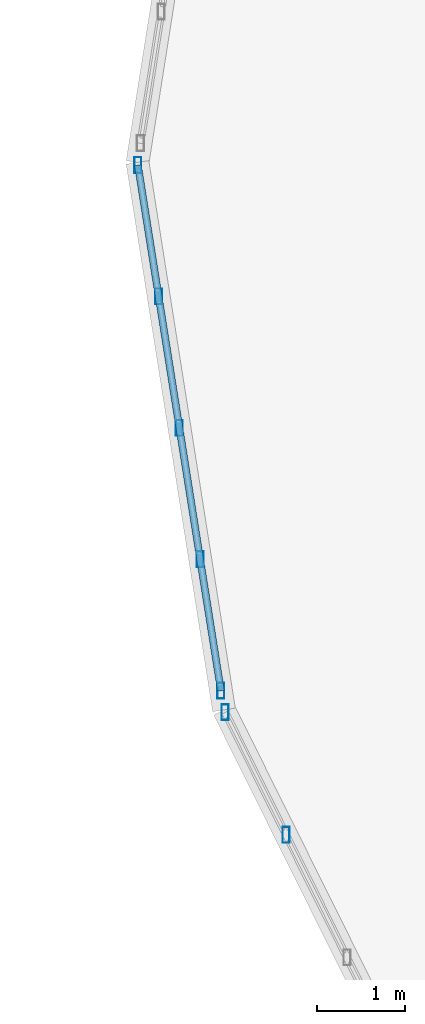
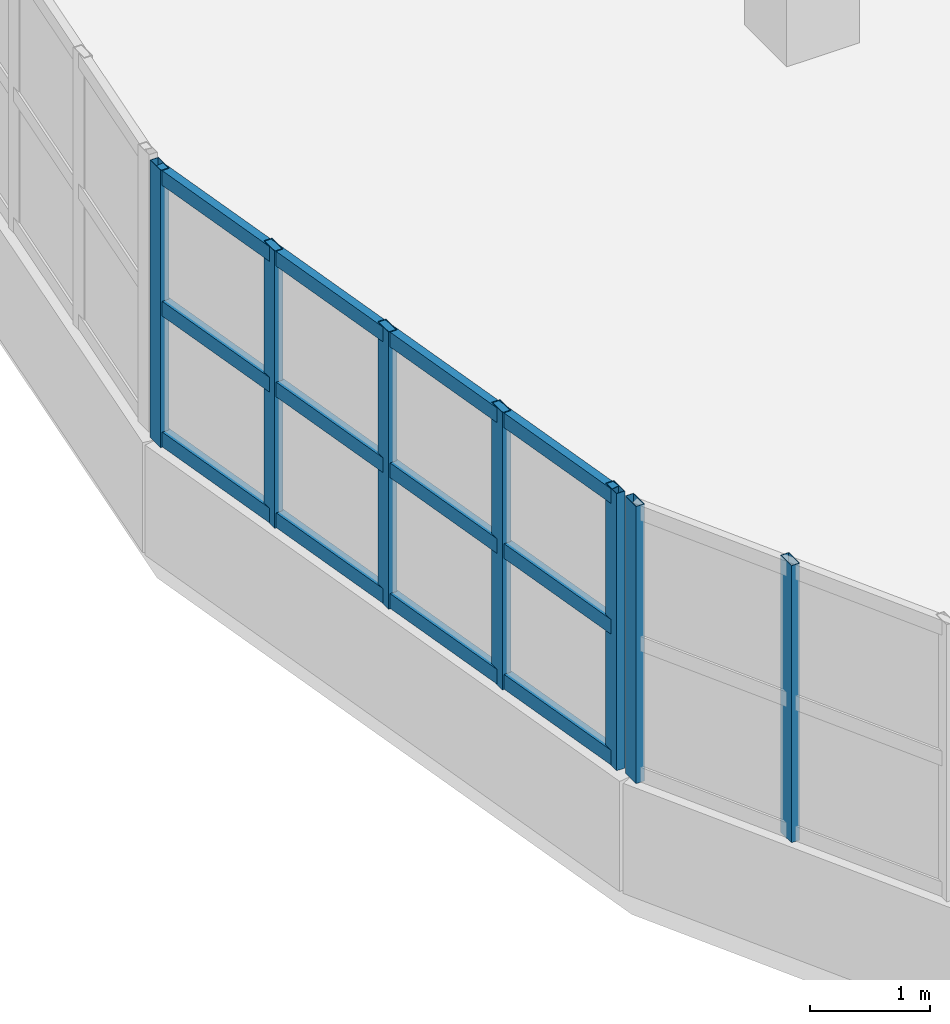
# One storey, part 9 of 52: 10 members, 2 elements without a shape of their own.
"""IFC4 building model written with IfcOpenShell, lengths in metres."""

from ifc_helpers import new_model, si_unit, direction, frame, origin, origin_2d, place, context, subcontext, project, spatial, hollow_rectangle, extrude, material, material_profile, profile_set, type_object, element, aggregate, save


model = new_model("IFC4")

# Units and contexts
model_context = context("Model", 3, precision=1e-05, world=origin(), true_north=direction((0.0, 1.0)))
body_context = subcontext(model_context, "Body", "Model", "MODEL_VIEW")
ifc_project = project(units=[si_unit("LENGTHUNIT", "METRE"), si_unit("AREAUNIT", "SQUARE_METRE"), si_unit("VOLUMEUNIT", "CUBIC_METRE"), si_unit("PLANEANGLEUNIT", "RADIAN"), si_unit("MASSUNIT", "GRAM", prefix="KILO")], contexts=[model_context])

# Site, building, storey
site_placement = place(None, origin())
site = spatial("IfcSite", under=ifc_project, at=site_placement, CompositionType="ELEMENT")
building_placement = place(site_placement, origin())
building = spatial("IfcBuilding", under=site, at=building_placement, Name="Solvento Point Concert Hall", CompositionType="ELEMENT")
storey_placement = place(building_placement, frame((0.0, 0.0, 19.5)))
storey = spatial("IfcBuildingStorey", under=building, at=storey_placement, Name="L04", CompositionType="ELEMENT", Elevation=19.5)

# Curtain wall, members
ifc_material_1 = material(Name="Anodized Bronze Aluminium", Category="aluminium")
curtain_wall_type = type_object("IfcCurtainWallType", Name="CurtainWall_RingRibbon_L03_04", PredefinedType="USERDEFINED", material=ifc_material_1)
curtain_wall_1_placement = place(storey_placement, origin())
curtain_wall_1 = element("IfcCurtainWall", 1, at=curtain_wall_1_placement, inside=storey, type_object=curtain_wall_type, Name="Unitised curtain wall CW-31 UCW-L04-213", ObjectType="UNITISED CURTAIN WALL", PredefinedType="USERDEFINED")
ifc_material_2 = material(Name="Anodized Bronze Aluminium", Category="aluminium")
ifc_material_profile_1 = material_profile(ifc_material_2, hollow_rectangle(XDim=0.080078125, YDim=0.179931640625, WallThickness=0.00390625, at=origin_2d()), Name="CW-MUL-80X180")
ifc_profile_set_1 = profile_set([ifc_material_profile_1], Name="Anodized Bronze Aluminium")
member_type_1 = type_object("IfcMemberType", Name="Mullion_80x180", PredefinedType="MULLION", material=ifc_profile_set_1)
member_1_placement = place(storey_placement, frame((34.086181640625, 22.5703125, 1.1201171875), z_axis=(0.0, 0.0, 1.0), x_axis=(1.0, 0.0, 0.0)))
member_1 = element("IfcMember", 2, at=member_1_placement, type_object=member_type_1, Name="Curtain wall mullion ML-01", PredefinedType="MULLION", context=body_context, shape_type="SweptSolid", body=[
    extrude(hollow_rectangle(XDim=0.080078125, YDim=0.179931640625, WallThickness=0.00390625, at=origin_2d()), origin(), (0.0, 0.0, 1.0), 2.81982421875),
])
member_2_placement = place(storey_placement, frame((33.394775390625, 23.96142578125, 1.1201171875), z_axis=(0.0, 0.0, 1.0), x_axis=(1.0, 0.0, 0.0)))
member_2 = element("IfcMember", 3, at=member_2_placement, type_object=member_type_1, Name="Curtain wall mullion ML-01", PredefinedType="MULLION", context=body_context, shape_type="SweptSolid", body=[
    extrude(hollow_rectangle(XDim=0.080078125, YDim=0.179931640625, WallThickness=0.00390625, at=origin_2d()), origin(), (0.0, 0.0, 1.0), 2.81982421875),
])
aggregate(curtain_wall_1, [member_1, member_2])

curtain_wall_2_placement = place(storey_placement, origin())
curtain_wall_2 = element("IfcCurtainWall", 4, at=curtain_wall_2_placement, inside=storey, type_object=curtain_wall_type, Name="Unitised curtain wall CW-31 UCW-L04-214", ObjectType="UNITISED CURTAIN WALL", PredefinedType="USERDEFINED")
member_3_placement = place(storey_placement, frame((33.346923828125, 24.20556640625, 1.1201171875), z_axis=(0.0, 0.0, 1.0), x_axis=(1.0, 0.0, 0.0)))
member_3 = element("IfcMember", 5, at=member_3_placement, type_object=member_type_1, Name="Curtain wall mullion ML-01", PredefinedType="MULLION", context=body_context, shape_type="SweptSolid", body=[
    extrude(hollow_rectangle(XDim=0.080078125, YDim=0.179931640625, WallThickness=0.00390625, at=origin_2d()), origin(), (0.0, 0.0, 1.0), 2.81982421875),
])
member_4_placement = place(storey_placement, frame((33.111328125, 25.69677734375, 1.1201171875), z_axis=(0.0, 0.0, 1.0), x_axis=(1.0, 0.0, 0.0)))
member_4 = element("IfcMember", 6, at=member_4_placement, type_object=member_type_1, Name="Curtain wall mullion ML-01", PredefinedType="MULLION", context=body_context, shape_type="SweptSolid", body=[
    extrude(hollow_rectangle(XDim=0.080078125, YDim=0.179931640625, WallThickness=0.00390625, at=origin_2d()), origin(), (0.0, 0.0, 1.0), 2.81982421875),
])
member_5_placement = place(storey_placement, frame((32.875732421875, 27.18798828125, 1.1201171875), z_axis=(0.0, 0.0, 1.0), x_axis=(1.0, 0.0, 0.0)))
member_5 = element("IfcMember", 7, at=member_5_placement, type_object=member_type_1, Name="Curtain wall mullion ML-01", PredefinedType="MULLION", context=body_context, shape_type="SweptSolid", body=[
    extrude(hollow_rectangle(XDim=0.080078125, YDim=0.179931640625, WallThickness=0.00390625, at=origin_2d()), origin(), (0.0, 0.0, 1.0), 2.81982421875),
])
member_6_placement = place(storey_placement, frame((32.640380859375, 28.67919921875, 1.1201171875), z_axis=(0.0, 0.0, 1.0), x_axis=(1.0, 0.0, 0.0)))
member_6 = element("IfcMember", 8, at=member_6_placement, type_object=member_type_1, Name="Curtain wall mullion ML-01", PredefinedType="MULLION", context=body_context, shape_type="SweptSolid", body=[
    extrude(hollow_rectangle(XDim=0.080078125, YDim=0.179931640625, WallThickness=0.00390625, at=origin_2d()), origin(), (0.0, 0.0, 1.0), 2.81982421875),
])
member_7_placement = place(storey_placement, frame((32.40478515625, 30.17041015625, 1.1201171875), z_axis=(0.0, 0.0, 1.0), x_axis=(1.0, 0.0, 0.0)))
member_7 = element("IfcMember", 9, at=member_7_placement, type_object=member_type_1, Name="Curtain wall mullion ML-01", PredefinedType="MULLION", context=body_context, shape_type="SweptSolid", body=[
    extrude(hollow_rectangle(XDim=0.080078125, YDim=0.179931640625, WallThickness=0.00390625, at=origin_2d()), origin(), (0.0, 0.0, 1.0), 2.81982421875),
])
ifc_material_3 = material(Name="Anodized Bronze Aluminium", Category="aluminium")
ifc_material_profile_2 = material_profile(ifc_material_3, hollow_rectangle(XDim=0.080078125, YDim=0.14990234375, WallThickness=0.00390625, at=origin_2d()), Name="CW-TRN-80X150")
ifc_profile_set_2 = profile_set([ifc_material_profile_2], Name="Anodized Bronze Aluminium")
member_type_2 = type_object("IfcMemberType", Name="Transom_80x150", PredefinedType="USERDEFINED", material=ifc_profile_set_2)
member_8_placement = place(storey_placement, frame((33.346923828125, 24.20556640625, 1.199951171875), z_axis=(-0.156014475008, 0.987754768952, 0.0), x_axis=(-0.987754768952, -0.156014475008, 0.0)))
member_8 = element("IfcMember", 10, at=member_8_placement, type_object=member_type_2, Name="Curtain wall transom TR-01", ObjectType="TRANSOM", PredefinedType="USERDEFINED", context=body_context, shape_type="SweptSolid", body=[
    extrude(hollow_rectangle(XDim=0.080078125, YDim=0.14990234375, WallThickness=0.00390625, at=origin_2d()), origin(), (0.0, 0.0, 1.0), 6.038818359375),
])
member_9_placement = place(storey_placement, frame((33.346923828125, 24.20556640625, 2.530029296875), z_axis=(-0.156014475008, 0.987754768952, 0.0), x_axis=(-0.987754768952, -0.156014475008, 0.0)))
member_9 = element("IfcMember", 11, at=member_9_placement, type_object=member_type_2, Name="Curtain wall transom TR-01", ObjectType="TRANSOM", PredefinedType="USERDEFINED", context=body_context, shape_type="SweptSolid", body=[
    extrude(hollow_rectangle(XDim=0.080078125, YDim=0.14990234375, WallThickness=0.00390625, at=origin_2d()), origin(), (0.0, 0.0, 1.0), 6.038818359375),
])
member_10_placement = place(storey_placement, frame((33.346923828125, 24.20556640625, 3.860107421875), z_axis=(-0.156014475008, 0.987754768952, 0.0), x_axis=(-0.987754768952, -0.156014475008, 0.0)))
member_10 = element("IfcMember", 12, at=member_10_placement, type_object=member_type_2, Name="Curtain wall transom TR-01", ObjectType="TRANSOM", PredefinedType="USERDEFINED", context=body_context, shape_type="SweptSolid", body=[
    extrude(hollow_rectangle(XDim=0.080078125, YDim=0.14990234375, WallThickness=0.00390625, at=origin_2d()), origin(), (0.0, 0.0, 1.0), 6.038818359375),
])
aggregate(curtain_wall_2, [member_3, member_4, member_5, member_6, member_7, member_8, member_9, member_10])

save(model, "model.ifc")
